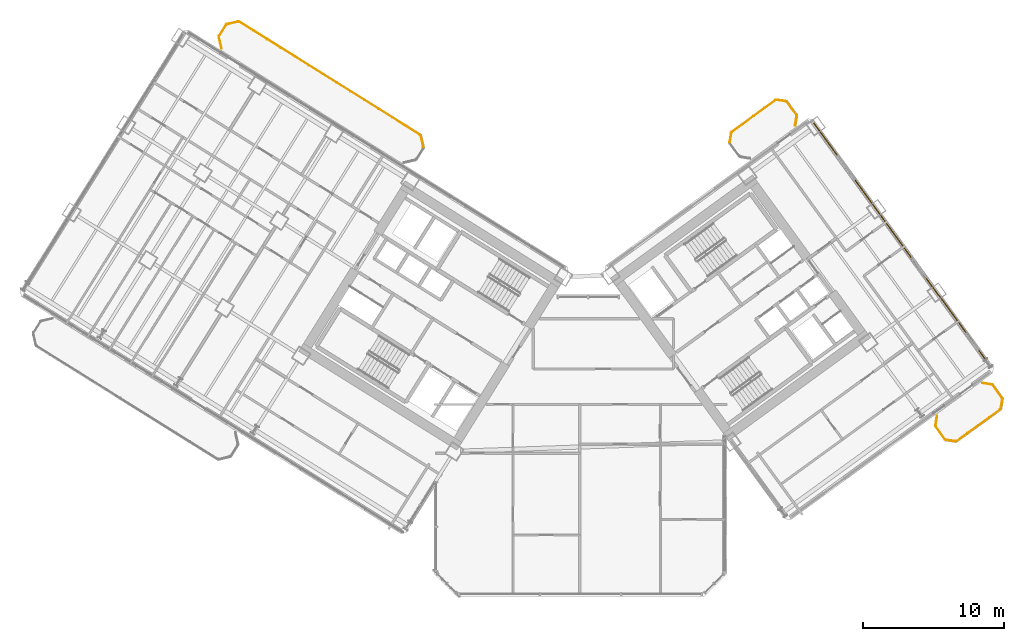
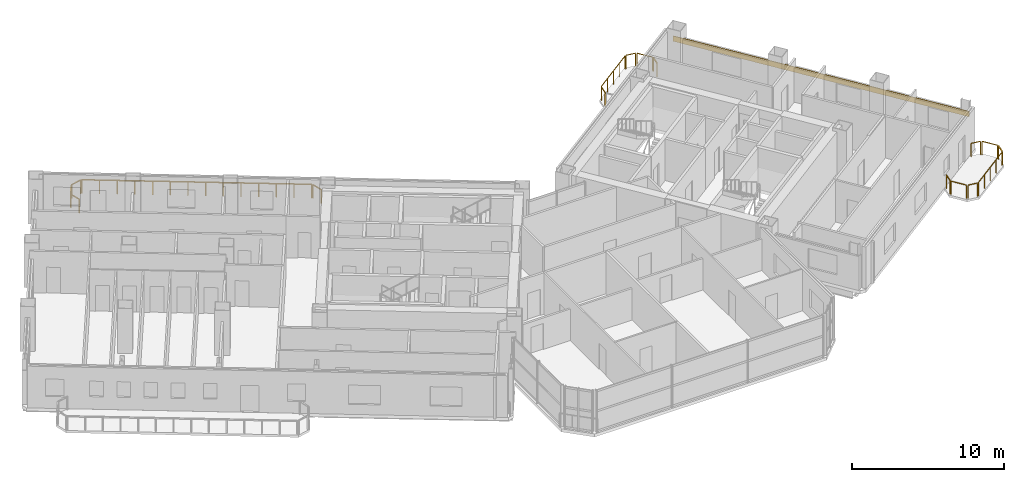
# One storey, part 28 of 28: 17 railings, 1 covering.
"""IFC4 building model written with IfcOpenShell, lengths in metres."""

from ifc_helpers import new_model, si_unit, direction, frame, origin, origin_2d, place, context, subcontext, project, spatial, rectangle, extrude, source, transform, mapped, material, layer, layer_set, type_object, element, save


model = new_model("IFC4")

# Units and contexts
model_context = context("Model", 3, precision=1e-05, world=origin(), true_north=direction((0.0, 1.0)))
body_context = subcontext(model_context, "Body", "Model", "MODEL_VIEW")
ifc_project = project(units=[si_unit("LENGTHUNIT", "METRE"), si_unit("AREAUNIT", "SQUARE_METRE"), si_unit("VOLUMEUNIT", "CUBIC_METRE"), si_unit("PLANEANGLEUNIT", "RADIAN"), si_unit("MASSUNIT", "GRAM", prefix="KILO")], contexts=[model_context])

# Site, building, storey
site_placement = place(None, origin())
site = spatial("IfcSite", under=ifc_project, at=site_placement, CompositionType="ELEMENT")
building_placement = place(site_placement, origin())
building = spatial("IfcBuilding", under=site, at=building_placement, Name="Tlacorven Tower", CompositionType="ELEMENT")
storey_placement = place(building_placement, frame((0.0, 0.0, 27.60009765625)))
storey = spatial("IfcBuildingStorey", under=building, at=storey_placement, Name="L06", CompositionType="ELEMENT", Elevation=27.60009765625)

# Railings
ifc_material_1 = material(Name="Aluminium and painted steel balustrade", Category="steel")
railing_type = type_object("IfcRailingType", Name="RL-BAL-1100", PredefinedType="BALUSTRADE", material=ifc_material_1)
shared_shape_1 = source(origin(), body_context, "Body", "SweptSolid", [
    extrude(rectangle(XDim=0.048095703125, YDim=0.048095703125, at=origin_2d()), frame((0.0, 0.0, 1.076171875), z_axis=(0.225058334816, -0.974345290916, 0.0), x_axis=(0.974345290916, 0.225058334816, 0.0)), (0.0, 0.0, 1.0), 0.80712890625),
    extrude(rectangle(XDim=0.0419921875, YDim=0.0419921875, at=origin_2d()), origin(), (0.0, 0.0, 1.0), 1.052001953125),
    extrude(rectangle(XDim=0.0419921875, YDim=0.0419921875, at=origin_2d()), frame((0.181640625, -0.786376953125, 0.0)), (0.0, 0.0, 1.0), 1.052001953125),
])
railing_1_placement = place(storey_placement, frame((30.6796875, 34.466064453125, 0.0)))
element("IfcRailing", 1, at=railing_1_placement, inside=storey, type_object=railing_type, Name="BAL-L06-W-IN Guard Railing 1", PredefinedType="BALUSTRADE", context=body_context, shape_type="MappedRepresentation", body=[
    mapped(shared_shape_1, transform((0.0, 0.0, 0.0), scale=1.0)),
])
shared_shape_2 = source(origin(), body_context, "Body", "SweptSolid", [
    extrude(rectangle(XDim=0.048095703125, YDim=0.048095703125, at=origin_2d()), frame((0.0, 0.0, 1.076171875), z_axis=(-0.225058334816, 0.974345290916, 0.0), x_axis=(-0.974345290916, -0.225058334816, 0.0)), (0.0, 0.0, 1.0), 0.80712890625),
    extrude(rectangle(XDim=0.0419921875, YDim=0.0419921875, at=origin_2d()), origin(), (0.0, 0.0, 1.0), 1.052001953125),
    extrude(rectangle(XDim=0.0419921875, YDim=0.0419921875, at=origin_2d()), frame((-0.181640625, 0.786376953125, 0.0)), (0.0, 0.0, 1.0), 1.052001953125),
])
railing_2_placement = place(storey_placement, frame((16.5361328125, 40.68115234375, 0.0)))
element("IfcRailing", 2, at=railing_2_placement, inside=storey, type_object=railing_type, Name="BAL-L06-W-IN Guard Railing 4", PredefinedType="BALUSTRADE", context=body_context, shape_type="MappedRepresentation", body=[
    mapped(shared_shape_2, transform((0.0, 0.0, 0.0), scale=1.0)),
])
shared_shape_3 = source(origin(), body_context, "Body", "SweptSolid", [
    extrude(rectangle(XDim=0.048095703125, YDim=0.048095703125, at=origin_2d()), frame((0.0, 0.0, 1.076171875), z_axis=(0.52987865805, 0.848073468364, 0.0), x_axis=(-0.848073468364, 0.52987865805, 0.0)), (0.0, 0.0, 1.0), 0.912353515625),
    extrude(rectangle(XDim=0.0419921875, YDim=0.0419921875, at=origin_2d()), origin(), (0.0, 0.0, 1.0), 1.052001953125),
    extrude(rectangle(XDim=0.0419921875, YDim=0.0419921875, at=origin_2d()), frame((0.4833984375, 0.773681640625, 0.0)), (0.0, 0.0, 1.0), 1.052001953125),
])
railing_3_placement = place(storey_placement, frame((16.369873046875, 41.55859375, 0.0)))
element("IfcRailing", 3, at=railing_3_placement, inside=storey, type_object=railing_type, Name="BAL-L06-W-IN Guard Railing 5", PredefinedType="BALUSTRADE", context=body_context, shape_type="MappedRepresentation", body=[
    mapped(shared_shape_3, transform((0.0, 0.0, 0.0), scale=1.0)),
])
shared_shape_4 = source(origin(), body_context, "Body", "SweptSolid", [
    extrude(rectangle(XDim=0.048095703125, YDim=0.048095703125, at=origin_2d()), frame((0.0, 0.0, 1.076171875), z_axis=(0.974411586182, 0.224771129628, 0.0), x_axis=(-0.224771129628, 0.974411586182, 0.0)), (0.0, 0.0, 1.0), 0.80712890625),
    extrude(rectangle(XDim=0.0419921875, YDim=0.0419921875, at=origin_2d()), origin(), (0.0, 0.0, 1.0), 1.052001953125),
    extrude(rectangle(XDim=0.0419921875, YDim=0.0419921875, at=origin_2d()), frame((0.786376953125, 0.181396484375, 0.0)), (0.0, 0.0, 1.0), 1.052001953125),
])
railing_4_placement = place(storey_placement, frame((16.928466796875, 42.385986328125, 0.0)))
element("IfcRailing", 4, at=railing_4_placement, inside=storey, type_object=railing_type, Name="BAL-L06-W-IN Guard Railing 6", PredefinedType="BALUSTRADE", context=body_context, shape_type="MappedRepresentation", body=[
    mapped(shared_shape_4, transform((0.0, 0.0, 0.0), scale=1.0)),
])
shared_shape_5 = source(origin(), body_context, "Body", "SweptSolid", [
    extrude(rectangle(XDim=0.048095703125, YDim=0.048095703125, at=origin_2d()), frame((0.0, 0.0, 1.076171875), z_axis=(0.848044572804, -0.529924902733, 0.0), x_axis=(0.529924902733, 0.848044572804, 0.0)), (0.0, 0.0, 1.0), 15.1171875),
    extrude(rectangle(XDim=0.0419921875, YDim=0.0419921875, at=origin_2d()), origin(), (0.0, 0.0, 1.0), 1.052001953125),
    extrude(rectangle(XDim=0.0419921875, YDim=0.0419921875, at=origin_2d()), frame((0.986083984375, -0.6162109375, 0.0)), (0.0, 0.0, 1.0), 1.052001953125),
    extrude(rectangle(XDim=0.0419921875, YDim=0.0419921875, at=origin_2d()), frame((1.972412109375, -1.232421875, 0.0)), (0.0, 0.0, 1.0), 1.052001953125),
    extrude(rectangle(XDim=0.0419921875, YDim=0.0419921875, at=origin_2d()), frame((2.95849609375, -1.8486328125, 0.0)), (0.0, 0.0, 1.0), 1.052001953125),
    extrude(rectangle(XDim=0.0419921875, YDim=0.0419921875, at=origin_2d()), frame((3.944580078125, -2.46484375, 0.0)), (0.0, 0.0, 1.0), 1.052001953125),
    extrude(rectangle(XDim=0.0419921875, YDim=0.0419921875, at=origin_2d()), frame((4.930908203125, -3.0810546875, 0.0)), (0.0, 0.0, 1.0), 1.052001953125),
    extrude(rectangle(XDim=0.0419921875, YDim=0.0419921875, at=origin_2d()), frame((5.9169921875, -3.697265625, 0.0)), (0.0, 0.0, 1.0), 1.052001953125),
    extrude(rectangle(XDim=0.0419921875, YDim=0.0419921875, at=origin_2d()), frame((6.903076171875, -4.313720703125, 0.0)), (0.0, 0.0, 1.0), 1.052001953125),
    extrude(rectangle(XDim=0.0419921875, YDim=0.0419921875, at=origin_2d()), frame((7.88916015625, -4.929931640625, 0.0)), (0.0, 0.0, 1.0), 1.052001953125),
    extrude(rectangle(XDim=0.0419921875, YDim=0.0419921875, at=origin_2d()), frame((8.87548828125, -5.546142578125, 0.0)), (0.0, 0.0, 1.0), 1.052001953125),
    extrude(rectangle(XDim=0.0419921875, YDim=0.0419921875, at=origin_2d()), frame((9.861572265625, -6.162353515625, 0.0)), (0.0, 0.0, 1.0), 1.052001953125),
    extrude(rectangle(XDim=0.0419921875, YDim=0.0419921875, at=origin_2d()), frame((10.84765625, -6.778564453125, 0.0)), (0.0, 0.0, 1.0), 1.052001953125),
    extrude(rectangle(XDim=0.0419921875, YDim=0.0419921875, at=origin_2d()), frame((11.833984375, -7.394775390625, 0.0)), (0.0, 0.0, 1.0), 1.052001953125),
    extrude(rectangle(XDim=0.0419921875, YDim=0.0419921875, at=origin_2d()), frame((12.820068359375, -8.010986328125, 0.0)), (0.0, 0.0, 1.0), 1.052001953125),
])
railing_5_placement = place(storey_placement, frame((17.805908203125, 42.55224609375, 0.0)))
element("IfcRailing", 5, at=railing_5_placement, inside=storey, type_object=railing_type, Name="BAL-L06-W-IN Guard Railing 7", PredefinedType="BALUSTRADE", context=body_context, shape_type="MappedRepresentation", body=[
    mapped(shared_shape_5, transform((0.0, 0.0, 0.0), scale=1.0)),
])
shared_shape_6 = source(origin(), body_context, "Body", "SweptSolid", [
    extrude(rectangle(XDim=0.048095703125, YDim=0.048095703125, at=origin_2d()), frame((0.0, 0.0, 1.076171875), z_axis=(-0.987661653326, 0.156602868908, 0.0), x_axis=(-0.156602868908, -0.987661653326, 0.0)), (0.0, 0.0, 1.0), 0.665771484375),
    extrude(rectangle(XDim=0.0419921875, YDim=0.0419921875, at=origin_2d()), origin(), (0.0, 0.0, 1.0), 1.052001953125),
    extrude(rectangle(XDim=0.0419921875, YDim=0.0419921875, at=origin_2d()), frame((-0.657470703125, 0.104248046875, 0.0)), (0.0, 0.0, 1.0), 1.052001953125),
])
railing_6_placement = place(storey_placement, frame((68.59521484375, 12.7919921875, 0.0)))
element("IfcRailing", 6, at=railing_6_placement, inside=storey, type_object=railing_type, Name="BAL-L06-E-OUT Guard Railing 1", PredefinedType="BALUSTRADE", context=body_context, shape_type="MappedRepresentation", body=[
    mapped(shared_shape_6, transform((0.0, 0.0, 0.0), scale=1.0)),
])
shared_shape_7 = source(origin(), body_context, "Body", "SweptSolid", [
    extrude(rectangle(XDim=0.048095703125, YDim=0.048095703125, at=origin_2d()), frame((0.0, 0.0, 1.076171875), z_axis=(-0.58788449985, 0.808944877501, 0.0), x_axis=(-0.808944877501, -0.58788449985, 0.0)), (0.0, 0.0, 1.0), 1.112060546875),
    extrude(rectangle(XDim=0.0419921875, YDim=0.0419921875, at=origin_2d()), origin(), (0.0, 0.0, 1.0), 1.052001953125),
    extrude(rectangle(XDim=0.0419921875, YDim=0.0419921875, at=origin_2d()), frame((-0.65380859375, 0.899658203125, 0.0)), (0.0, 0.0, 1.0), 1.052001953125),
])
railing_7_placement = place(storey_placement, frame((67.85888671875, 12.944580078125, 0.0)))
element("IfcRailing", 7, at=railing_7_placement, inside=storey, type_object=railing_type, Name="BAL-L06-E-OUT Guard Railing 2", PredefinedType="BALUSTRADE", context=body_context, shape_type="MappedRepresentation", body=[
    mapped(shared_shape_7, transform((0.0, 0.0, 0.0), scale=1.0)),
])
shared_shape_8 = source(origin(), body_context, "Body", "SweptSolid", [
    extrude(rectangle(XDim=0.048095703125, YDim=0.048095703125, at=origin_2d()), frame((0.0, 0.0, 1.076171875), z_axis=(0.156602868908, 0.987661653326, 0.0), x_axis=(-0.987661653326, 0.156602868908, 0.0)), (0.0, 0.0, 1.0), 0.665771484375),
    extrude(rectangle(XDim=0.0419921875, YDim=0.0419921875, at=origin_2d()), origin(), (0.0, 0.0, 1.0), 1.052001953125),
    extrude(rectangle(XDim=0.0419921875, YDim=0.0419921875, at=origin_2d()), frame((0.104248046875, 0.657470703125, 0.0)), (0.0, 0.0, 1.0), 1.052001953125),
])
railing_8_placement = place(storey_placement, frame((67.18359375, 13.93408203125, 0.0)))
element("IfcRailing", 8, at=railing_8_placement, inside=storey, type_object=railing_type, Name="BAL-L06-E-OUT Guard Railing 3", PredefinedType="BALUSTRADE", context=body_context, shape_type="MappedRepresentation", body=[
    mapped(shared_shape_8, transform((0.0, 0.0, 0.0), scale=1.0)),
])
shared_shape_9 = source(origin(), body_context, "Body", "SweptSolid", [
    extrude(rectangle(XDim=0.048095703125, YDim=0.048095703125, at=origin_2d()), frame((0.0, 0.0, 1.076171875), z_axis=(0.987718317463, -0.156245081039, 0.0), x_axis=(0.156245081039, 0.987718317463, 0.0)), (0.0, 0.0, 1.0), 0.66552734375),
    extrude(rectangle(XDim=0.0419921875, YDim=0.0419921875, at=origin_2d()), origin(), (0.0, 0.0, 1.0), 1.052001953125),
    extrude(rectangle(XDim=0.0419921875, YDim=0.0419921875, at=origin_2d()), frame((0.657470703125, -0.10400390625, 0.0)), (0.0, 0.0, 1.0), 1.052001953125),
])
railing_9_placement = place(storey_placement, frame((70.513916015625, 16.935546875, 0.0)))
element("IfcRailing", 9, at=railing_9_placement, inside=storey, type_object=railing_type, Name="BAL-L06-E-OUT Guard Railing 4", PredefinedType="BALUSTRADE", context=body_context, shape_type="MappedRepresentation", body=[
    mapped(shared_shape_9, transform((0.0, 0.0, 0.0), scale=1.0)),
])
shared_shape_10 = source(origin(), body_context, "Body", "SweptSolid", [
    extrude(rectangle(XDim=0.048095703125, YDim=0.048095703125, at=origin_2d()), frame((0.0, 0.0, 1.076171875), z_axis=(0.58788449985, -0.808944877501, 0.0), x_axis=(0.808944877501, 0.58788449985, 0.0)), (0.0, 0.0, 1.0), 1.112060546875),
    extrude(rectangle(XDim=0.0419921875, YDim=0.0419921875, at=origin_2d()), origin(), (0.0, 0.0, 1.0), 1.052001953125),
    extrude(rectangle(XDim=0.0419921875, YDim=0.0419921875, at=origin_2d()), frame((0.65380859375, -0.899658203125, 0.0)), (0.0, 0.0, 1.0), 1.052001953125),
])
for number, where, name in (
    (10, (71.250244140625, 16.783203125, 0.0), "BAL-L06-E-OUT Guard Railing 5"),
    (11, (56.658447265625, 36.866943359375, 0.0), "BAL-L06-E-IN Guard Railing 6"),
):
    element("IfcRailing", number, at=place(storey_placement, frame(where)), inside=storey, type_object=railing_type, Name=name, PredefinedType="BALUSTRADE", context=body_context, shape_type="MappedRepresentation", body=[
        mapped(shared_shape_10, transform((0.0, 0.0, 0.0), scale=1.0)),
    ])
shared_shape_11 = source(origin(), body_context, "Body", "SweptSolid", [
    extrude(rectangle(XDim=0.048095703125, YDim=0.048095703125, at=origin_2d()), frame((0.0, 0.0, 1.076171875), z_axis=(-0.156188498702, -0.987727266442, 0.0), x_axis=(0.987727266442, -0.156188498702, 0.0)), (0.0, 0.0, 1.0), 0.665771484375),
    extrude(rectangle(XDim=0.0419921875, YDim=0.0419921875, at=origin_2d()), origin(), (0.0, 0.0, 1.0), 1.052001953125),
    extrude(rectangle(XDim=0.0419921875, YDim=0.0419921875, at=origin_2d()), frame((-0.10400390625, -0.65771484375, 0.0)), (0.0, 0.0, 1.0), 1.052001953125),
])
railing_10_placement = place(storey_placement, frame((71.925537109375, 15.793701171875, 0.0)))
element("IfcRailing", 12, at=railing_10_placement, inside=storey, type_object=railing_type, Name="BAL-L06-E-OUT Guard Railing 6", PredefinedType="BALUSTRADE", context=body_context, shape_type="MappedRepresentation", body=[
    mapped(shared_shape_11, transform((0.0, 0.0, 0.0), scale=1.0)),
])
shared_shape_12 = source(origin(), body_context, "Body", "SweptSolid", [
    extrude(rectangle(XDim=0.048095703125, YDim=0.048095703125, at=origin_2d()), frame((0.0, 0.0, 1.076171875), z_axis=(-0.809018102573, -0.587783726986, 0.0), x_axis=(0.587783726986, -0.809018102573, 0.0)), (0.0, 0.0, 1.0), 3.817138671875),
    extrude(rectangle(XDim=0.0419921875, YDim=0.0419921875, at=origin_2d()), origin(), (0.0, 0.0, 1.0), 1.052001953125),
    extrude(rectangle(XDim=0.0419921875, YDim=0.0419921875, at=origin_2d()), frame((-0.77197265625, -0.56103515625, 0.0)), (0.0, 0.0, 1.0), 1.052001953125),
    extrude(rectangle(XDim=0.0419921875, YDim=0.0419921875, at=origin_2d()), frame((-1.5439453125, -1.121826171875, 0.0)), (0.0, 0.0, 1.0), 1.052001953125),
    extrude(rectangle(XDim=0.0419921875, YDim=0.0419921875, at=origin_2d()), frame((-2.316162109375, -1.6826171875, 0.0)), (0.0, 0.0, 1.0), 1.052001953125),
    extrude(rectangle(XDim=0.0419921875, YDim=0.0419921875, at=origin_2d()), frame((-3.088134765625, -2.24365234375, 0.0)), (0.0, 0.0, 1.0), 1.052001953125),
])
railing_11_placement = place(storey_placement, frame((71.773193359375, 15.057373046875, 0.0)))
element("IfcRailing", 13, at=railing_11_placement, inside=storey, type_object=railing_type, Name="BAL-L06-E-OUT Guard Railing 7", PredefinedType="BALUSTRADE", context=body_context, shape_type="MappedRepresentation", body=[
    mapped(shared_shape_12, transform((0.0, 0.0, 0.0), scale=1.0)),
])
shared_shape_13 = source(origin(), body_context, "Body", "SweptSolid", [
    extrude(rectangle(XDim=0.048095703125, YDim=0.048095703125, at=origin_2d()), frame((0.0, 0.0, 1.076171875), z_axis=(0.156546163506, 0.987670642822, 0.0), x_axis=(-0.987670642822, 0.156546163506, 0.0)), (0.0, 0.0, 1.0), 0.666015625),
    extrude(rectangle(XDim=0.0419921875, YDim=0.0419921875, at=origin_2d()), origin(), (0.0, 0.0, 1.0), 1.052001953125),
    extrude(rectangle(XDim=0.0419921875, YDim=0.0419921875, at=origin_2d()), frame((0.104248046875, 0.65771484375, 0.0)), (0.0, 0.0, 1.0), 1.052001953125),
])
railing_12_placement = place(storey_placement, frame((52.591796875, 34.017822265625, 0.0)))
element("IfcRailing", 14, at=railing_12_placement, inside=storey, type_object=railing_type, Name="BAL-L06-E-IN Guard Railing 3", PredefinedType="BALUSTRADE", context=body_context, shape_type="MappedRepresentation", body=[
    mapped(shared_shape_13, transform((0.0, 0.0, 0.0), scale=1.0)),
])
shared_shape_14 = source(origin(), body_context, "Body", "SweptSolid", [
    extrude(rectangle(XDim=0.048095703125, YDim=0.048095703125, at=origin_2d()), frame((0.0, 0.0, 1.076171875), z_axis=(0.809040198054, 0.587753313843, 0.0), x_axis=(-0.587753313843, 0.809040198054, 0.0)), (0.0, 0.0, 1.0), 3.8173828125),
    extrude(rectangle(XDim=0.0419921875, YDim=0.0419921875, at=origin_2d()), origin(), (0.0, 0.0, 1.0), 1.052001953125),
    extrude(rectangle(XDim=0.0419921875, YDim=0.0419921875, at=origin_2d()), frame((0.77197265625, 0.56103515625, 0.0)), (0.0, 0.0, 1.0), 1.052001953125),
    extrude(rectangle(XDim=0.0419921875, YDim=0.0419921875, at=origin_2d()), frame((1.544189453125, 1.121826171875, 0.0)), (0.0, 0.0, 1.0), 1.052001953125),
    extrude(rectangle(XDim=0.0419921875, YDim=0.0419921875, at=origin_2d()), frame((2.31640625, 1.6826171875, 0.0)), (0.0, 0.0, 1.0), 1.052001953125),
    extrude(rectangle(XDim=0.0419921875, YDim=0.0419921875, at=origin_2d()), frame((3.08837890625, 2.24365234375, 0.0)), (0.0, 0.0, 1.0), 1.052001953125),
])
railing_13_placement = place(storey_placement, frame((52.744140625, 34.754150390625, 0.0)))
element("IfcRailing", 15, at=railing_13_placement, inside=storey, type_object=railing_type, Name="BAL-L06-E-IN Guard Railing 4", PredefinedType="BALUSTRADE", context=body_context, shape_type="MappedRepresentation", body=[
    mapped(shared_shape_14, transform((0.0, 0.0, 0.0), scale=1.0)),
])
shared_shape_15 = source(origin(), body_context, "Body", "SweptSolid", [
    extrude(rectangle(XDim=0.048095703125, YDim=0.048095703125, at=origin_2d()), frame((0.0, 0.0, 1.076171875), z_axis=(0.987670642822, -0.156546163506, 0.0), x_axis=(0.156546163506, 0.987670642822, 0.0)), (0.0, 0.0, 1.0), 0.666015625),
    extrude(rectangle(XDim=0.0419921875, YDim=0.0419921875, at=origin_2d()), origin(), (0.0, 0.0, 1.0), 1.052001953125),
    extrude(rectangle(XDim=0.0419921875, YDim=0.0419921875, at=origin_2d()), frame((0.65771484375, -0.104248046875, 0.0)), (0.0, 0.0, 1.0), 1.052001953125),
])
railing_14_placement = place(storey_placement, frame((55.922119140625, 37.01953125, 0.0)))
element("IfcRailing", 16, at=railing_14_placement, inside=storey, type_object=railing_type, Name="BAL-L06-E-IN Guard Railing 5", PredefinedType="BALUSTRADE", context=body_context, shape_type="MappedRepresentation", body=[
    mapped(shared_shape_15, transform((0.0, 0.0, 0.0), scale=1.0)),
])
shared_shape_16 = source(origin(), body_context, "Body", "SweptSolid", [
    extrude(rectangle(XDim=0.048095703125, YDim=0.048095703125, at=origin_2d()), frame((0.0, 0.0, 1.076171875), z_axis=(-0.156245081039, -0.987718317463, 0.0), x_axis=(0.987718317463, -0.156245081039, 0.0)), (0.0, 0.0, 1.0), 0.66552734375),
    extrude(rectangle(XDim=0.0419921875, YDim=0.0419921875, at=origin_2d()), origin(), (0.0, 0.0, 1.0), 1.052001953125),
    extrude(rectangle(XDim=0.0419921875, YDim=0.0419921875, at=origin_2d()), frame((-0.10400390625, -0.657470703125, 0.0)), (0.0, 0.0, 1.0), 1.052001953125),
])
railing_15_placement = place(storey_placement, frame((57.333740234375, 35.87744140625, 0.0)))
element("IfcRailing", 17, at=railing_15_placement, inside=storey, type_object=railing_type, Name="BAL-L06-E-IN Guard Railing 7", PredefinedType="BALUSTRADE", context=body_context, shape_type="MappedRepresentation", body=[
    mapped(shared_shape_16, transform((0.0, 0.0, 0.0), scale=1.0)),
])

# Covering
ifc_material_2 = material(Name="Precast concrete C45/55", Category="concrete")
ifc_layer = layer(ifc_material_2, 0.06005859375)
ifc_layer_set = layer_set([ifc_layer], Name="Precast concrete C45/55")
covering_type = type_object("IfcCoveringType", Name="CV-CLD-TERC", PredefinedType="CLADDING", material=ifc_layer_set)
shared_shape_17 = source(origin(), body_context, "Body", "SweptSolid", [
    extrude(rectangle(XDim=21.287353515625, YDim=0.06005859375, at=origin_2d()), origin(), (0.0, 0.0, 1.0), 0.419921875),
])
covering_placement = place(storey_placement, frame((64.799072265625, 26.75146484375, 2.304931640625), z_axis=(0.0, 0.0, 1.0), x_axis=(0.587785363163, -0.809016913823, 0.0)))
element("IfcCovering", 18, at=covering_placement, inside=storey, type_object=covering_type, Name="L06 Masonry-Frame Spandrel Cladding 5", PredefinedType="CLADDING", context=body_context, shape_type="MappedRepresentation", body=[
    mapped(shared_shape_17, transform((0.0, 0.0, 0.0), scale=1.0)),
])

save(model, "model.ifc")
